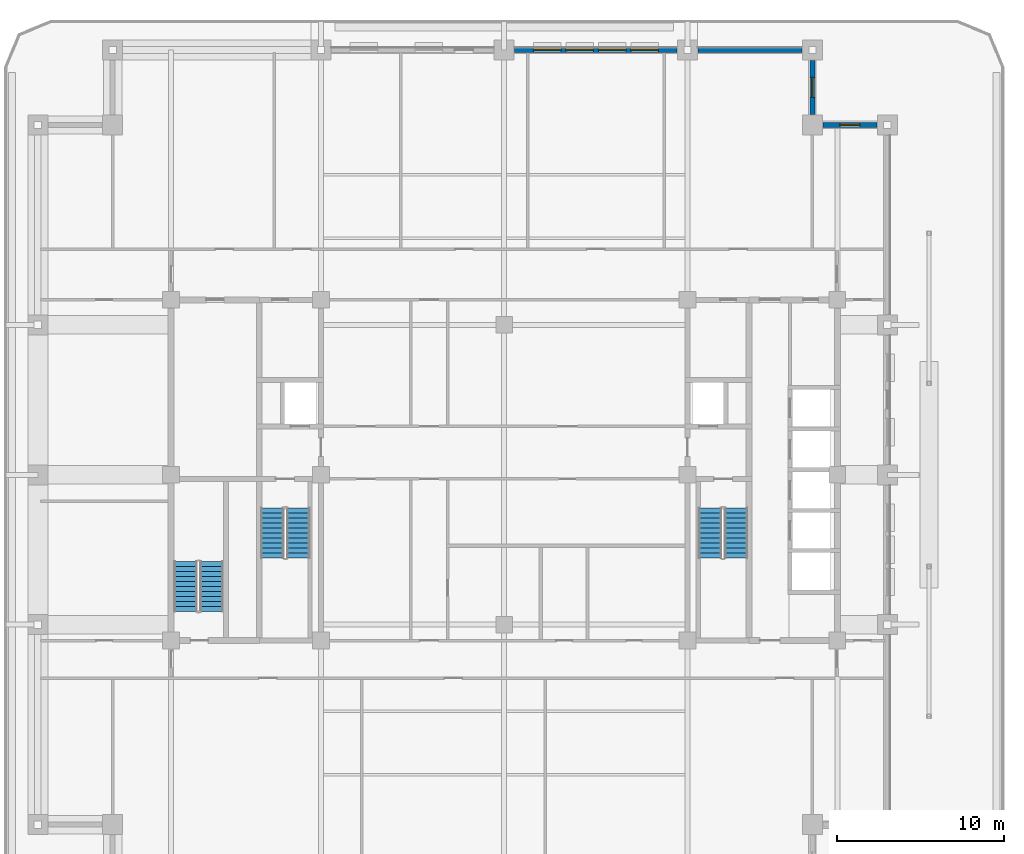
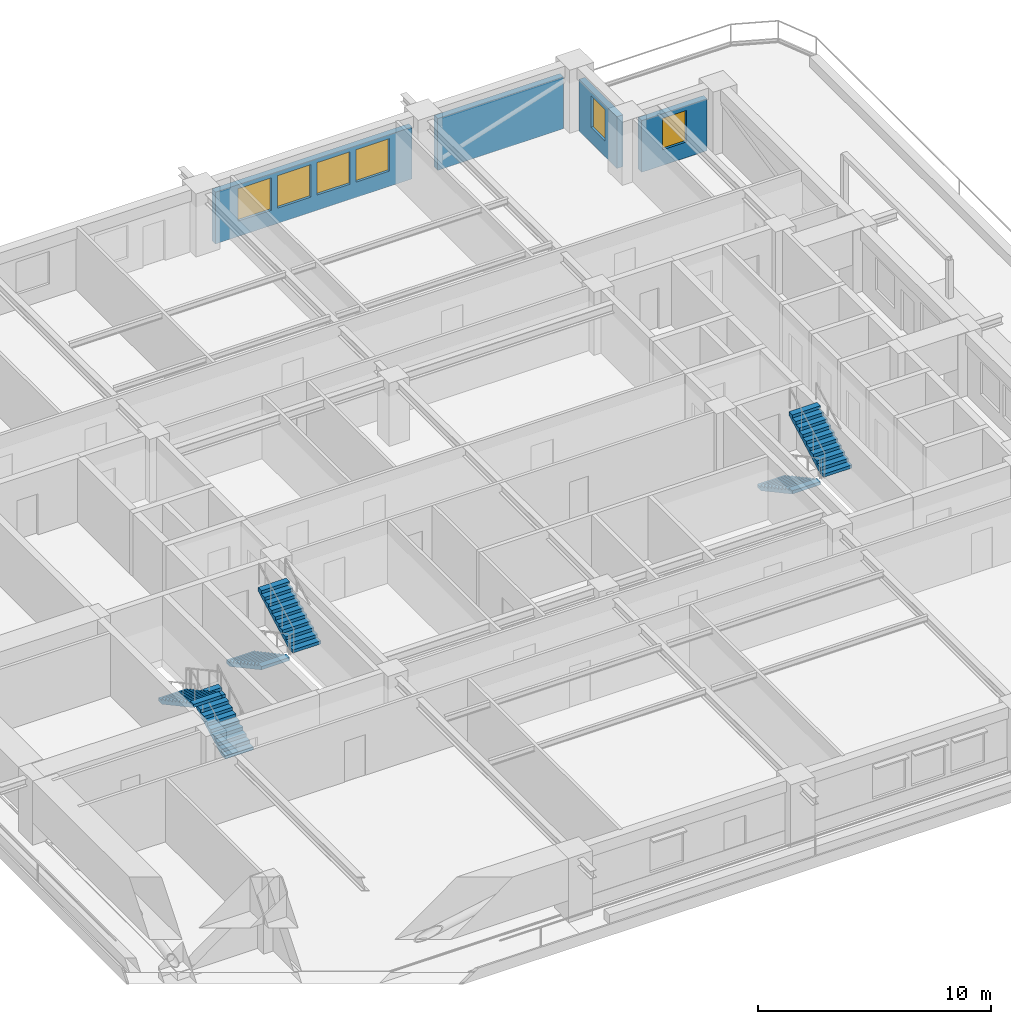
# One storey, part 9 of 17: 6 stair flights, 6 windows, 4 walls, 6 openings, 3 elements without a shape of their own.
"""IFC4 building model written with IfcOpenShell, lengths in metres."""

from ifc_helpers import new_model, si_unit, direction, frame, frame_2d, origin, place, context, subcontext, project, spatial, polyline, rectangle, outline, extrude, material, layer, layer_set, type_object, element, fill, aggregate, save


model = new_model("IFC4")

# Units and contexts
model_context = context("Model", 3, precision=1e-05, world=origin(), true_north=direction((0.0, 1.0)))
body_context = subcontext(model_context, "Body", "Model", "MODEL_VIEW")
ifc_project = project(units=[si_unit("LENGTHUNIT", "METRE"), si_unit("AREAUNIT", "SQUARE_METRE"), si_unit("VOLUMEUNIT", "CUBIC_METRE"), si_unit("PLANEANGLEUNIT", "RADIAN"), si_unit("MASSUNIT", "GRAM", prefix="KILO")], contexts=[model_context])

# Site, building, storey
site_placement = place(None, origin())
site = spatial("IfcSite", under=ifc_project, at=site_placement, CompositionType="ELEMENT")
building_placement = place(site_placement, origin())
building = spatial("IfcBuilding", under=site, at=building_placement, Name="Zulmaris Gate Convention Tower", CompositionType="ELEMENT")
storey_placement = place(building_placement, frame((0.0, 0.0, 121.349853515625)))
storey = spatial("IfcBuildingStorey", under=building, at=storey_placement, Name="L30", CompositionType="ELEMENT", Elevation=121.349853515625)

# Wall, opening, window
ifc_material_1 = material(Name="Precast concrete C40/50", Category="concrete")
ifc_layer_1 = layer(ifc_material_1, 0.300048828125, Name="Precast concrete C40/50")
ifc_layer_set_1 = layer_set([ifc_layer_1], Name="Precast concrete C40/50")
wall_type = type_object("IfcWallType", Name="PRECAST-PIER-300", PredefinedType="STANDARD", material=ifc_layer_set_1)
wall_1_placement = place(storey_placement, frame((22.3701171875, 21.0, 0.0), z_axis=(0.0, 0.0, 1.0), x_axis=(-1.0, 0.0, 0.0)))
wall_1 = element("IfcWall", 1, at=wall_1_placement, inside=storey, type_object=wall_type, Name="EW-L30-NOTCH-NE1_0", PredefinedType="STANDARD", context=body_context, shape_type="SweptSolid", body=[
    extrude(rectangle(XDim=3.240234375, YDim=0.300048828125, at=frame_2d((1.6201171875, 0.0))), origin(), (0.0, 0.0, 1.0), 2.712158203125),
])
opening_1_placement = place(wall_1_placement, frame((1.02001953125, 0.0, 0.820068359375)))
opening_1 = element("IfcOpeningElement", 2, at=opening_1_placement, cuts=wall_1, Name="Opening W-04", PredefinedType="OPENING", context=body_context, shape_type="SweptSolid", body=[
    extrude(rectangle(XDim=1.199951171875, YDim=1.64990234375, at=frame_2d((0.60009765625, 0.824951171875))), frame((0.0, 0.16015625, 0.0), z_axis=(0.0, -1.0, 0.0), x_axis=(1.0, 0.0, 0.0)), (0.0, 0.0, 1.0), 0.320068359375),
])
ifc_material_2 = material(Name="Low-E Laminated Double Glazing in Aluminium Frame", Category="aluminium")
window_type_1 = type_object("IfcWindowType", Name="WIN-1200x2100", PartitioningType="SINGLE_PANEL", PredefinedType="WINDOW", material=ifc_material_2)
window_1_placement = place(opening_1_placement, origin())
window_1 = element("IfcWindow", 3, at=window_1_placement, inside=storey, type_object=window_type_1, Name="WN-EW-L30-NOTCH-NE1_0", OverallHeight=1.64990234375, OverallWidth=1.199951171875, PartitioningType="SINGLE_PANEL", PredefinedType="WINDOW", context=body_context, shape_type="SweptSolid", body=[
    extrude(rectangle(XDim=1.199951171875, YDim=1.64990234375, at=frame_2d((0.60009765625, 0.824951171875))), frame((0.0, 0.030029296875, 0.0), z_axis=(0.0, -1.0, 0.0), x_axis=(1.0, 0.0, 0.0)), (0.0, 0.0, 1.0), 0.06005859375),
])
fill(opening_1, window_1)

wall_2_placement = place(storey_placement, frame((18.5, 21.6298828125, 0.0), z_axis=(0.0, 0.0, 1.0), x_axis=(0.0, 1.0, 0.0)))
wall_2 = element("IfcWall", 4, at=wall_2_placement, inside=storey, type_object=wall_type, Name="EW-L30-NOTCH-NE2_0", PredefinedType="STANDARD", context=body_context, shape_type="SweptSolid", body=[
    extrude(rectangle(XDim=3.240234375, YDim=0.300048828125, at=frame_2d((1.6201171875, 0.0))), origin(), (0.0, 0.0, 1.0), 2.712158203125),
])
opening_2_placement = place(wall_2_placement, frame((1.02001953125, 0.0, 0.820068359375)))
opening_2 = element("IfcOpeningElement", 5, at=opening_2_placement, cuts=wall_2, Name="Opening W-04", PredefinedType="OPENING", context=body_context, shape_type="SweptSolid", body=[
    extrude(rectangle(XDim=1.199951171875, YDim=1.64990234375, at=frame_2d((0.60009765625, 0.824951171875))), frame((0.0, 0.16015625, 0.0), z_axis=(0.0, -1.0, 0.0), x_axis=(1.0, 0.0, 0.0)), (0.0, 0.0, 1.0), 0.320068359375),
])
window_2_placement = place(opening_2_placement, origin())
window_2 = element("IfcWindow", 6, at=window_2_placement, inside=storey, type_object=window_type_1, Name="WN-EW-L30-NOTCH-NE2_0", OverallHeight=1.64990234375, OverallWidth=1.199951171875, PartitioningType="SINGLE_PANEL", PredefinedType="WINDOW", context=body_context, shape_type="SweptSolid", body=[
    extrude(rectangle(XDim=1.199951171875, YDim=1.64990234375, at=frame_2d((0.60009765625, 0.824951171875))), frame((0.0, 0.030029296875, 0.0), z_axis=(0.0, -1.0, 0.0), x_axis=(1.0, 0.0, 0.0)), (0.0, 0.0, 1.0), 0.06005859375),
])
fill(opening_2, window_2)

# Wall, openings, windows
wall_3_placement = place(storey_placement, frame((10.3701171875, 25.5, 0.0), z_axis=(0.0, 0.0, 1.0), x_axis=(-1.0, 0.0, 0.0)))
wall_3 = element("IfcWall", 7, at=wall_3_placement, inside=storey, type_object=wall_type, Name="EW-L30-N-2_0", PredefinedType="STANDARD", context=body_context, shape_type="SweptSolid", body=[
    extrude(rectangle(XDim=9.740234375, YDim=0.300048828125, at=frame_2d((4.8701171875, 0.0))), origin(), (0.0, 0.0, 1.0), 2.712158203125),
])
opening_3_placement = place(wall_3_placement, frame((1.123046875, 0.0, 0.800048828125)))
opening_3 = element("IfcOpeningElement", 8, at=opening_3_placement, cuts=wall_3, Name="Opening W-08", PredefinedType="OPENING", context=body_context, shape_type="SweptSolid", body=[
    extrude(rectangle(XDim=1.64990234375, YDim=1.699951171875, at=frame_2d((0.824951171875, 0.85009765625))), frame((0.0, 0.16015625, 0.0), z_axis=(0.0, -1.0, 0.0), x_axis=(1.0, 0.0, 0.0)), (0.0, 0.0, 1.0), 0.320068359375),
])
opening_4_placement = place(wall_3_placement, frame((3.071044921875, 0.0, 0.800048828125)))
opening_4 = element("IfcOpeningElement", 9, at=opening_4_placement, cuts=wall_3, Name="Opening W-08", PredefinedType="OPENING", context=body_context, shape_type="SweptSolid", body=[
    extrude(rectangle(XDim=1.64990234375, YDim=1.699951171875, at=frame_2d((0.824951171875, 0.85009765625))), frame((0.0, 0.16015625, 0.0), z_axis=(0.0, -1.0, 0.0), x_axis=(1.0, 0.0, 0.0)), (0.0, 0.0, 1.0), 0.320068359375),
])
opening_5_placement = place(wall_3_placement, frame((5.01904296875, 0.0, 0.800048828125)))
opening_5 = element("IfcOpeningElement", 10, at=opening_5_placement, cuts=wall_3, Name="Opening W-08", PredefinedType="OPENING", context=body_context, shape_type="SweptSolid", body=[
    extrude(rectangle(XDim=1.64990234375, YDim=1.699951171875, at=frame_2d((0.824951171875, 0.85009765625))), frame((0.0, 0.16015625, 0.0), z_axis=(0.0, -1.0, 0.0), x_axis=(1.0, 0.0, 0.0)), (0.0, 0.0, 1.0), 0.320068359375),
])
opening_6_placement = place(wall_3_placement, frame((6.967041015625, 0.0, 0.800048828125)))
opening_6 = element("IfcOpeningElement", 11, at=opening_6_placement, cuts=wall_3, Name="Opening W-08", PredefinedType="OPENING", context=body_context, shape_type="SweptSolid", body=[
    extrude(rectangle(XDim=1.64990234375, YDim=1.699951171875, at=frame_2d((0.824951171875, 0.85009765625))), frame((0.0, 0.16015625, 0.0), z_axis=(0.0, -1.0, 0.0), x_axis=(1.0, 0.0, 0.0)), (0.0, 0.0, 1.0), 0.320068359375),
])
window_type_2 = type_object("IfcWindowType", Name="WIN-1650x2150", PartitioningType="SINGLE_PANEL", PredefinedType="WINDOW", material=ifc_material_2)
window_3_placement = place(opening_3_placement, origin())
window_3 = element("IfcWindow", 12, at=window_3_placement, inside=storey, type_object=window_type_2, Name="WN-EW-L30-N-2_0-1", OverallHeight=1.699951171875, OverallWidth=1.64990234375, PartitioningType="SINGLE_PANEL", PredefinedType="WINDOW", context=body_context, shape_type="SweptSolid", body=[
    extrude(rectangle(XDim=1.64990234375, YDim=1.699951171875, at=frame_2d((0.824951171875, 0.85009765625))), frame((0.0, 0.030029296875, 0.0), z_axis=(0.0, -1.0, 0.0), x_axis=(1.0, 0.0, 0.0)), (0.0, 0.0, 1.0), 0.06005859375),
])
fill(opening_3, window_3)
window_4_placement = place(opening_4_placement, origin())
window_4 = element("IfcWindow", 13, at=window_4_placement, inside=storey, type_object=window_type_2, Name="WN-EW-L30-N-2_0-2", OverallHeight=1.699951171875, OverallWidth=1.64990234375, PartitioningType="SINGLE_PANEL", PredefinedType="WINDOW", context=body_context, shape_type="SweptSolid", body=[
    extrude(rectangle(XDim=1.64990234375, YDim=1.699951171875, at=frame_2d((0.824951171875, 0.85009765625))), frame((0.0, 0.030029296875, 0.0), z_axis=(0.0, -1.0, 0.0), x_axis=(1.0, 0.0, 0.0)), (0.0, 0.0, 1.0), 0.06005859375),
])
fill(opening_4, window_4)
window_5_placement = place(opening_5_placement, origin())
window_5 = element("IfcWindow", 14, at=window_5_placement, inside=storey, type_object=window_type_2, Name="WN-EW-L30-N-2_0-3", OverallHeight=1.699951171875, OverallWidth=1.64990234375, PartitioningType="SINGLE_PANEL", PredefinedType="WINDOW", context=body_context, shape_type="SweptSolid", body=[
    extrude(rectangle(XDim=1.64990234375, YDim=1.699951171875, at=frame_2d((0.824951171875, 0.85009765625))), frame((0.0, 0.030029296875, 0.0), z_axis=(0.0, -1.0, 0.0), x_axis=(1.0, 0.0, 0.0)), (0.0, 0.0, 1.0), 0.06005859375),
])
fill(opening_5, window_5)
window_6_placement = place(opening_6_placement, origin())
window_6 = element("IfcWindow", 15, at=window_6_placement, inside=storey, type_object=window_type_2, Name="WN-EW-L30-N-2_0-4", OverallHeight=1.699951171875, OverallWidth=1.64990234375, PartitioningType="SINGLE_PANEL", PredefinedType="WINDOW", context=body_context, shape_type="SweptSolid", body=[
    extrude(rectangle(XDim=1.64990234375, YDim=1.699951171875, at=frame_2d((0.824951171875, 0.85009765625))), frame((0.0, 0.030029296875, 0.0), z_axis=(0.0, -1.0, 0.0), x_axis=(1.0, 0.0, 0.0)), (0.0, 0.0, 1.0), 0.06005859375),
])
fill(opening_6, window_6)

# Wall
wall_4_placement = place(storey_placement, frame((17.8701171875, 25.5, 0.0), z_axis=(0.0, 0.0, 1.0), x_axis=(-1.0, 0.0, 0.0)))
element("IfcWall", 16, at=wall_4_placement, inside=storey, type_object=wall_type, Name="EW-L30-N-3_0", PredefinedType="STANDARD", context=body_context, shape_type="SweptSolid", body=[
    extrude(rectangle(XDim=6.240234375, YDim=0.300048828125, at=frame_2d((3.1201171875, 0.0))), origin(), (0.0, 0.0, 1.0), 2.712158203125),
])

# Stair, stair flights
ifc_material_3 = material(Name="Concrete C45/55", Category="concrete")
stair_type = type_object("IfcStairType", Name="ST-CORE-DOGLEG", PredefinedType="HALF_TURN_STAIR", material=ifc_material_3)
stair_1_placement = place(storey_placement, origin())
stair_1 = element("IfcStair", 17, at=stair_1_placement, inside=storey, type_object=stair_type, Name="L30 Core Exit Stair ST-1", PredefinedType="HALF_TURN_STAIR")
ifc_layer_2 = layer(ifc_material_3, 0.14990234375, Name="Concrete C45/55")
ifc_layer_set_2 = layer_set([ifc_layer_2], Name="Concrete C45/55")
stair_flight_type = type_object("IfcStairFlightType", Name="STF-RC150", PredefinedType="STRAIGHT", material=ifc_layer_set_2)
stair_flight_1_placement = place(storey_placement, frame((-13.919921875, -2.0, 0.0), z_axis=(0.0, 0.0, 1.0), x_axis=(0.0, -1.0, 0.0)))
stair_flight_1 = element("IfcStairFlight", 18, at=stair_flight_1_placement, type_object=stair_flight_type, Name="ST-1 flight 1", NumberOfRisers=11, NumberOfTreads=10, PredefinedType="STRAIGHT", RiserHeight=0.162272727, TreadLength=0.3, context=body_context, shape_type="SweptSolid", body=[
    extrude(outline(polyline([(0.0, 0.0), (0.0, 0.162353515625), (0.300048828125, 0.162353515625), (0.300048828125, 0.324462890625), (0.60009765625, 0.324462890625), (0.60009765625, 0.48681640625), (0.89990234375, 0.48681640625), (0.89990234375, 0.649169921875), (1.199951171875, 0.649169921875), (1.199951171875, 0.811279296875), (1.5, 0.811279296875), (1.5, 0.9736328125), (1.800048828125, 0.9736328125), (1.800048828125, 1.135986328125), (2.10009765625, 1.135986328125), (2.10009765625, 1.298095703125), (2.39990234375, 1.298095703125), (2.39990234375, 1.46044921875), (2.699951171875, 1.46044921875), (2.699951171875, 1.622802734375), (3.0, 1.622802734375), (3.0, 1.784912109375), (3.0, 1.452392578125), (0.315185546875, 0.0), (0.0, 0.0)])), frame((0.0, 0.699951171875, 0.0), z_axis=(0.0, -1.0, 0.0), x_axis=(1.0, 0.0, 0.0)), (0.0, 0.0, 1.0), 1.39990234375),
])
stair_flight_2_placement = place(storey_placement, frame((-12.360107421875, -5.0, 1.78515625), z_axis=(0.0, 0.0, 1.0), x_axis=(0.0, 1.0, 0.0)))
stair_flight_2 = element("IfcStairFlight", 19, at=stair_flight_2_placement, type_object=stair_flight_type, Name="ST-1 flight 2", NumberOfRisers=11, NumberOfTreads=10, PredefinedType="STRAIGHT", RiserHeight=0.162272727, TreadLength=0.3, context=body_context, shape_type="SweptSolid", body=[
    extrude(outline(polyline([(0.0, 0.0), (0.0, 0.162353515625), (0.300048828125, 0.162353515625), (0.300048828125, 0.324462890625), (0.60009765625, 0.324462890625), (0.60009765625, 0.48681640625), (0.89990234375, 0.48681640625), (0.89990234375, 0.649169921875), (1.199951171875, 0.649169921875), (1.199951171875, 0.811279296875), (1.5, 0.811279296875), (1.5, 0.9736328125), (1.800048828125, 0.9736328125), (1.800048828125, 1.135986328125), (2.10009765625, 1.135986328125), (2.10009765625, 1.298095703125), (2.39990234375, 1.298095703125), (2.39990234375, 1.46044921875), (2.699951171875, 1.46044921875), (2.699951171875, 1.622802734375), (3.0, 1.622802734375), (3.0, 1.784912109375), (3.0, 1.452392578125), (0.315185546875, 0.0), (0.0, 0.0)])), frame((0.0, 0.699951171875, 0.0), z_axis=(0.0, -1.0, 0.0), x_axis=(1.0, 0.0, 0.0)), (0.0, 0.0, 1.0), 1.39990234375),
])
aggregate(stair_1, [stair_flight_1, stair_flight_2])

stair_2_placement = place(storey_placement, origin())
stair_2 = element("IfcStair", 20, at=stair_2_placement, inside=storey, type_object=stair_type, Name="L30 Core Exit Stair ST-2", PredefinedType="HALF_TURN_STAIR")
stair_flight_3_placement = place(storey_placement, frame((12.360107421875, -2.0, 0.0), z_axis=(0.0, 0.0, 1.0), x_axis=(0.0, -1.0, 0.0)))
stair_flight_3 = element("IfcStairFlight", 21, at=stair_flight_3_placement, type_object=stair_flight_type, Name="ST-2 flight 1", NumberOfRisers=11, NumberOfTreads=10, PredefinedType="STRAIGHT", RiserHeight=0.162272727, TreadLength=0.3, context=body_context, shape_type="SweptSolid", body=[
    extrude(outline(polyline([(0.0, 0.0), (0.0, 0.162353515625), (0.300048828125, 0.162353515625), (0.300048828125, 0.324462890625), (0.60009765625, 0.324462890625), (0.60009765625, 0.48681640625), (0.89990234375, 0.48681640625), (0.89990234375, 0.649169921875), (1.199951171875, 0.649169921875), (1.199951171875, 0.811279296875), (1.5, 0.811279296875), (1.5, 0.9736328125), (1.800048828125, 0.9736328125), (1.800048828125, 1.135986328125), (2.10009765625, 1.135986328125), (2.10009765625, 1.298095703125), (2.39990234375, 1.298095703125), (2.39990234375, 1.46044921875), (2.699951171875, 1.46044921875), (2.699951171875, 1.622802734375), (3.0, 1.622802734375), (3.0, 1.784912109375), (3.0, 1.452392578125), (0.315185546875, 0.0), (0.0, 0.0)])), frame((0.0, 0.699951171875, 0.0), z_axis=(0.0, -1.0, 0.0), x_axis=(1.0, 0.0, 0.0)), (0.0, 0.0, 1.0), 1.39990234375),
])
stair_flight_4_placement = place(storey_placement, frame((13.919921875, -5.0, 1.78515625), z_axis=(0.0, 0.0, 1.0), x_axis=(0.0, 1.0, 0.0)))
stair_flight_4 = element("IfcStairFlight", 22, at=stair_flight_4_placement, type_object=stair_flight_type, Name="ST-2 flight 2", NumberOfRisers=11, NumberOfTreads=10, PredefinedType="STRAIGHT", RiserHeight=0.162272727, TreadLength=0.3, context=body_context, shape_type="SweptSolid", body=[
    extrude(outline(polyline([(0.0, 0.0), (0.0, 0.162353515625), (0.300048828125, 0.162353515625), (0.300048828125, 0.324462890625), (0.60009765625, 0.324462890625), (0.60009765625, 0.48681640625), (0.89990234375, 0.48681640625), (0.89990234375, 0.649169921875), (1.199951171875, 0.649169921875), (1.199951171875, 0.811279296875), (1.5, 0.811279296875), (1.5, 0.9736328125), (1.800048828125, 0.9736328125), (1.800048828125, 1.135986328125), (2.10009765625, 1.135986328125), (2.10009765625, 1.298095703125), (2.39990234375, 1.298095703125), (2.39990234375, 1.46044921875), (2.699951171875, 1.46044921875), (2.699951171875, 1.622802734375), (3.0, 1.622802734375), (3.0, 1.784912109375), (3.0, 1.452392578125), (0.315185546875, 0.0), (0.0, 0.0)])), frame((0.0, 0.699951171875, 0.0), z_axis=(0.0, -1.0, 0.0), x_axis=(1.0, 0.0, 0.0)), (0.0, 0.0, 1.0), 1.39990234375),
])
aggregate(stair_2, [stair_flight_3, stair_flight_4])

stair_3_placement = place(storey_placement, origin())
stair_3 = element("IfcStair", 23, at=stair_3_placement, inside=storey, type_object=stair_type, Name="L30 Core Exit Stair ST-3", PredefinedType="HALF_TURN_STAIR")
stair_flight_5_placement = place(storey_placement, frame((-17.56005859375, -8.199951171875, 0.0), z_axis=(0.0, 0.0, 1.0), x_axis=(0.0, 1.0, 0.0)))
stair_flight_5 = element("IfcStairFlight", 24, at=stair_flight_5_placement, type_object=stair_flight_type, Name="ST-3 flight 1", NumberOfRisers=11, NumberOfTreads=10, PredefinedType="STRAIGHT", RiserHeight=0.162272727, TreadLength=0.3, context=body_context, shape_type="SweptSolid", body=[
    extrude(outline(polyline([(0.0, 0.0), (0.0, 0.162353515625), (0.300048828125, 0.162353515625), (0.300048828125, 0.324462890625), (0.60009765625, 0.324462890625), (0.60009765625, 0.48681640625), (0.89990234375, 0.48681640625), (0.89990234375, 0.649169921875), (1.199951171875, 0.649169921875), (1.199951171875, 0.811279296875), (1.5, 0.811279296875), (1.5, 0.9736328125), (1.800048828125, 0.9736328125), (1.800048828125, 1.135986328125), (2.10009765625, 1.135986328125), (2.10009765625, 1.298095703125), (2.39990234375, 1.298095703125), (2.39990234375, 1.46044921875), (2.699951171875, 1.46044921875), (2.699951171875, 1.622802734375), (3.0, 1.622802734375), (3.0, 1.784912109375), (3.0, 1.452392578125), (0.315185546875, 0.0), (0.0, 0.0)])), frame((0.0, 0.699951171875, 0.0), z_axis=(0.0, -1.0, 0.0), x_axis=(1.0, 0.0, 0.0)), (0.0, 0.0, 1.0), 1.39990234375),
])
stair_flight_6_placement = place(storey_placement, frame((-19.1201171875, -5.199951171875, 1.78515625), z_axis=(0.0, 0.0, 1.0), x_axis=(0.0, -1.0, 0.0)))
stair_flight_6 = element("IfcStairFlight", 25, at=stair_flight_6_placement, type_object=stair_flight_type, Name="ST-3 flight 2", NumberOfRisers=11, NumberOfTreads=10, PredefinedType="STRAIGHT", RiserHeight=0.162272727, TreadLength=0.3, context=body_context, shape_type="SweptSolid", body=[
    extrude(outline(polyline([(0.0, 0.0), (0.0, 0.162353515625), (0.300048828125, 0.162353515625), (0.300048828125, 0.324462890625), (0.60009765625, 0.324462890625), (0.60009765625, 0.48681640625), (0.89990234375, 0.48681640625), (0.89990234375, 0.649169921875), (1.199951171875, 0.649169921875), (1.199951171875, 0.811279296875), (1.5, 0.811279296875), (1.5, 0.9736328125), (1.800048828125, 0.9736328125), (1.800048828125, 1.135986328125), (2.10009765625, 1.135986328125), (2.10009765625, 1.298095703125), (2.39990234375, 1.298095703125), (2.39990234375, 1.46044921875), (2.699951171875, 1.46044921875), (2.699951171875, 1.622802734375), (3.0, 1.622802734375), (3.0, 1.784912109375), (3.0, 1.452392578125), (0.315185546875, 0.0), (0.0, 0.0)])), frame((0.0, 0.699951171875, 0.0), z_axis=(0.0, -1.0, 0.0), x_axis=(1.0, 0.0, 0.0)), (0.0, 0.0, 1.0), 1.39990234375),
])
aggregate(stair_3, [stair_flight_5, stair_flight_6])

save(model, "model.ifc")
